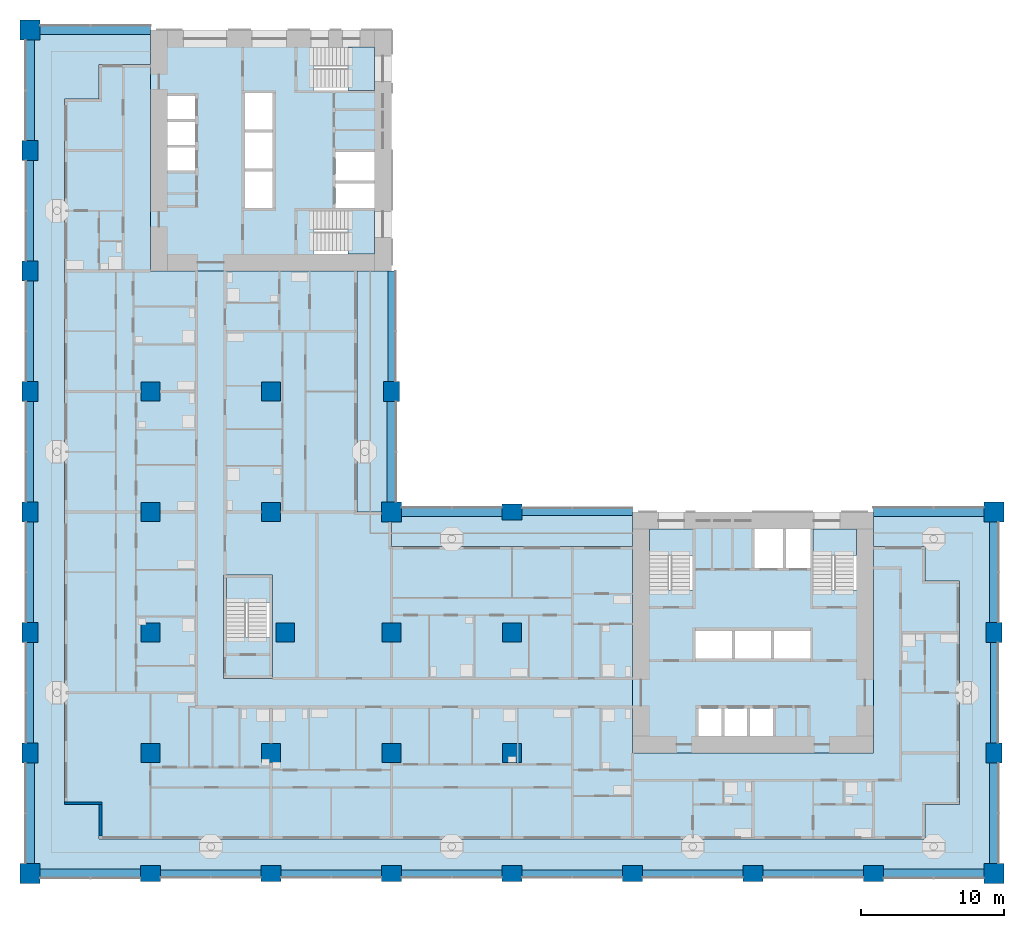
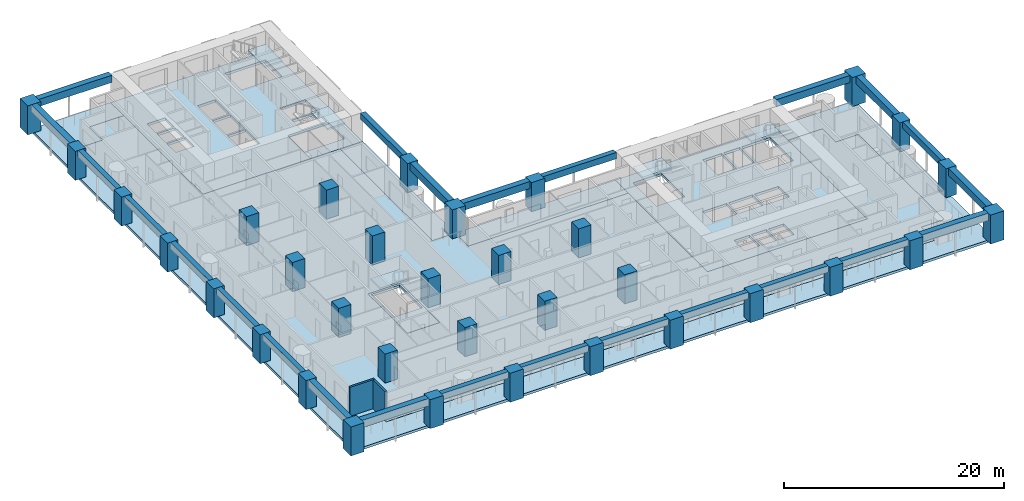
# One storey, part 1 of 22: 34 columns, 24 beams, 12 slabs, 2 walls, 5 elements without a shape of their own.
"""IFC4 building model written with IfcOpenShell, lengths in metres."""

from ifc_helpers import new_model, si_unit, direction, frame, frame_2d, origin, origin_2d, place, context, subcontext, project, spatial, polyline, rectangle, outline, extrude, material, layer, layer_set, material_profile, profile_set, type_object, element, aggregate, save


model = new_model("IFC4")

# Units and contexts
model_context = context("Model", 3, precision=1e-05, world=origin(), true_north=direction((0.0, 1.0)))
body_context = subcontext(model_context, "Body", "Model", "MODEL_VIEW")
ifc_project = project(units=[si_unit("LENGTHUNIT", "METRE"), si_unit("AREAUNIT", "SQUARE_METRE"), si_unit("VOLUMEUNIT", "CUBIC_METRE"), si_unit("PLANEANGLEUNIT", "RADIAN"), si_unit("MASSUNIT", "GRAM", prefix="KILO")], contexts=[model_context])

# Site, building, storey
site_placement = place(None, origin())
site = spatial("IfcSite", under=ifc_project, at=site_placement, CompositionType="ELEMENT")
building_placement = place(site_placement, origin())
building = spatial("IfcBuilding", under=site, at=building_placement, Name="Vermilion Gate Residences", CompositionType="ELEMENT")
storey_placement = place(building_placement, frame((0.0, 0.0, 56.699951171875)))
storey = spatial("IfcBuildingStorey", under=building, at=storey_placement, Name="L13", CompositionType="ELEMENT", Elevation=56.699951171875)

# Columns
ifc_material_1 = material(Name="Concrete C80", Category="concrete")
ifc_material_profile_1 = material_profile(ifc_material_1, rectangle(XDim=1.300048828125, YDim=1.300048828125, at=origin_2d()), Name="RC-1300x1300")
ifc_profile_set_1 = profile_set([ifc_material_profile_1], Name="Concrete C80")
column_type_1 = type_object("IfcColumnType", Name="RC COLUMN 1300 X 1300 C80", PredefinedType="COLUMN", material=ifc_profile_set_1)
for number, where, z_axis, x_axis, name in (
    (1, (8.39990234375, 8.39990234375, 0.0), (0.0, 0.0, 1.0), (1.0, 0.0, 0.0), "Column 2-B L13"),
    (2, (8.39990234375, 16.800048828125, 0.0), (0.0, 0.0, 1.0), (1.0, 0.0, 0.0), "Column 2-C L13"),
    (3, (8.39990234375, 25.199951171875, 0.0), (0.0, 0.0, 1.0), (1.0, 0.0, 0.0), "Column 2-D L13"),
    (4, (8.39990234375, 33.60009765625, 0.0), (0.0, 0.0, 1.0), (1.0, 0.0, 0.0), "Column 2-E L13"),
    (5, (16.800048828125, 8.39990234375, 0.0), (0.0, 0.0, 1.0), (1.0, 0.0, 0.0), "Column 3-B L13"),
    (6, (17.800048828125, 16.800048828125, 0.0), (0.0, 0.0, 1.0), (1.0, 0.0, 0.0), "Column 3-C L13"),
    (7, (16.800048828125, 25.199951171875, 0.0), (0.0, 0.0, 1.0), (1.0, 0.0, 0.0), "Column 3-D L13"),
    (8, (16.800048828125, 33.60009765625, 0.0), (0.0, 0.0, 1.0), (1.0, 0.0, 0.0), "Column 3-E L13"),
    (9, (25.199951171875, 8.39990234375, 0.0), (0.0, 0.0, 1.0), (1.0, 0.0, 0.0), "Column 4-B L13"),
    (10, (25.199951171875, 16.800048828125, 0.0), (0.0, 0.0, 1.0), (1.0, 0.0, 0.0), "Column 4-C L13"),
    (11, (33.60009765625, 8.39990234375, 0.0), (0.0, 0.0, 1.0), (1.0, 0.0, 0.0), "Column 5-B L13"),
    (12, (33.60009765625, 16.800048828125, 0.0), (0.0, 0.0, 1.0), (1.0, 0.0, 0.0), "Column 5-C L13"),
):
    element("IfcColumn", number, at=place(storey_placement, frame(where, z_axis=z_axis, x_axis=x_axis)), inside=storey, type_object=column_type_1, Name=name, PredefinedType="COLUMN", context=body_context, shape_type="SweptSolid", body=[
        extrude(rectangle(XDim=1.300048828125, YDim=1.300048828125, at=origin_2d()), origin(), (0.0, 0.0, 1.0), 3.219970703125),
    ])
ifc_material_2 = material(Name="Concrete C80", Category="concrete")
ifc_material_profile_2 = material_profile(ifc_material_2, rectangle(XDim=1.39990234375, YDim=1.10009765625, at=origin_2d()), Name="RC-1400x1100")
ifc_profile_set_2 = profile_set([ifc_material_profile_2], Name="Concrete C80")
column_type_2 = type_object("IfcColumnType", Name="RC COLUMN 1400 X 1100 C80", PredefinedType="COLUMN", material=ifc_profile_set_2)
for number, where, z_axis, x_axis, name in (
    (13, (0.0, 8.39990234375, 0.0), (0.0, 0.0, 1.0), (0.0, 1.0, 0.0), "Column 1-B L13"),
    (14, (0.0, 16.800048828125, 0.0), (0.0, 0.0, 1.0), (0.0, 1.0, 0.0), "Column 1-C L13"),
    (15, (0.0, 25.199951171875, 0.0), (0.0, 0.0, 1.0), (0.0, 1.0, 0.0), "Column 1-D L13"),
    (16, (0.0, 33.60009765625, 0.0), (0.0, 0.0, 1.0), (0.0, 1.0, 0.0), "Column 1-E L13"),
    (17, (0.0, 42.0, 0.0), (0.0, 0.0, 1.0), (0.0, 1.0, 0.0), "Column 1-F L13"),
    (18, (0.0, 50.39990234375, 0.0), (0.0, 0.0, 1.0), (0.0, 1.0, 0.0), "Column 1-G L13"),
    (19, (8.39990234375, 0.0, 0.0), (0.0, 0.0, 1.0), (1.0, 0.0, 0.0), "Column 2-A L13"),
    (20, (16.800048828125, 0.0, 0.0), (0.0, 0.0, 1.0), (1.0, 0.0, 0.0), "Column 3-A L13"),
    (21, (25.199951171875, 0.0, 0.0), (0.0, 0.0, 1.0), (1.0, 0.0, 0.0), "Column 4-A L13"),
    (22, (25.199951171875, 33.60009765625, 0.0), (0.0, 0.0, 1.0), (0.0, 1.0, 0.0), "Column 4-E L13"),
    (23, (33.60009765625, 0.0, 0.0), (0.0, 0.0, 1.0), (1.0, 0.0, 0.0), "Column 5-A L13"),
    (24, (33.60009765625, 25.199951171875, 0.0), (0.0, 0.0, 1.0), (1.0, 0.0, 0.0), "Column 5-D L13"),
    (25, (42.0, 0.0, 0.0), (0.0, 0.0, 1.0), (1.0, 0.0, 0.0), "Column 6-A L13"),
    (26, (50.39990234375, 0.0, 0.0), (0.0, 0.0, 1.0), (1.0, 0.0, 0.0), "Column 7-A L13"),
    (27, (58.800048828125, 0.0, 0.0), (0.0, 0.0, 1.0), (1.0, 0.0, 0.0), "Column 8-A L13"),
    (28, (67.199951171875, 8.39990234375, 0.0), (0.0, 0.0, 1.0), (0.0, 1.0, 0.0), "Column 9-B L13"),
    (29, (67.199951171875, 16.800048828125, 0.0), (0.0, 0.0, 1.0), (0.0, 1.0, 0.0), "Column 9-C L13"),
):
    element("IfcColumn", number, at=place(storey_placement, frame(where, z_axis=z_axis, x_axis=x_axis)), inside=storey, type_object=column_type_2, Name=name, PredefinedType="COLUMN", context=body_context, shape_type="SweptSolid", body=[
        extrude(rectangle(XDim=1.39990234375, YDim=1.10009765625, at=origin_2d()), origin(), (0.0, 0.0, 1.0), 3.219970703125),
    ])
ifc_material_3 = material(Name="Concrete C80", Category="concrete")
ifc_material_profile_3 = material_profile(ifc_material_3, rectangle(XDim=1.39990234375, YDim=1.39990234375, at=origin_2d()), Name="RC-1400x1400")
ifc_profile_set_3 = profile_set([ifc_material_profile_3], Name="Concrete C80")
column_type_3 = type_object("IfcColumnType", Name="RC COLUMN 1400 X 1400 C80", PredefinedType="COLUMN", material=ifc_profile_set_3)
for number, where, z_axis, x_axis, name in (
    (30, (0.0, 0.0, 0.0), (0.0, 0.0, 1.0), (1.0, 0.0, 0.0), "Column 1-A L13"),
    (31, (0.0, 58.800048828125, 0.0), (0.0, 0.0, 1.0), (1.0, 0.0, 0.0), "Column 1-H L13"),
    (32, (25.199951171875, 25.199951171875, 0.0), (0.0, 0.0, 1.0), (1.0, 0.0, 0.0), "Column 4-D L13"),
    (33, (67.199951171875, 0.0, 0.0), (0.0, 0.0, 1.0), (1.0, 0.0, 0.0), "Column 9-A L13"),
    (34, (67.199951171875, 25.199951171875, 0.0), (0.0, 0.0, 1.0), (1.0, 0.0, 0.0), "Column 9-D L13"),
):
    element("IfcColumn", number, at=place(storey_placement, frame(where, z_axis=z_axis, x_axis=x_axis)), inside=storey, type_object=column_type_3, Name=name, PredefinedType="COLUMN", context=body_context, shape_type="SweptSolid", body=[
        extrude(rectangle(XDim=1.39990234375, YDim=1.39990234375, at=origin_2d()), origin(), (0.0, 0.0, 1.0), 3.219970703125),
    ])

# Beams
ifc_material_4 = material(Name="Concrete C60 red-oxide pigmented", Category="concrete")
ifc_material_profile_4 = material_profile(ifc_material_4, rectangle(XDim=0.60009765625, YDim=0.800048828125, at=origin_2d()), Name="RC-600x800")
ifc_profile_set_4 = profile_set([ifc_material_profile_4], Name="Concrete C60 red-oxide pigmented")
beam_type_1 = type_object("IfcBeamType", Name="RC CORNER EDGE BEAM 600 X 800 C60", PredefinedType="BEAM", material=ifc_profile_set_4)
for number, where, z_axis, x_axis, name in (
    (35, (0.699951171875, 0.0, 2.820068359375), (1.0, 0.0, 0.0), (0.0, 1.0, 0.0), "Corner edge beam L13 1"),
    (36, (0.0, 0.699951171875, 2.820068359375), (0.0, 1.0, 0.0), (-1.0, 0.0, 0.0), "Corner edge beam L13 2"),
):
    element("IfcBeam", number, at=place(storey_placement, frame(where, z_axis=z_axis, x_axis=x_axis)), inside=storey, type_object=beam_type_1, Name=name, PredefinedType="BEAM", context=body_context, shape_type="SweptSolid", body=[
        extrude(rectangle(XDim=0.60009765625, YDim=0.800048828125, at=origin_2d()), origin(), (0.0, 0.0, 1.0), 7.0),
    ])
beam_1_placement = place(storey_placement, frame((0.699951171875, 58.800048828125, 2.820068359375), z_axis=(1.0, 0.0, 0.0), x_axis=(0.0, 1.0, 0.0)))
element("IfcBeam", 37, at=beam_1_placement, inside=storey, type_object=beam_type_1, Name="Corner edge beam L13 8", PredefinedType="BEAM", context=body_context, shape_type="SweptSolid", body=[
    extrude(rectangle(XDim=0.60009765625, YDim=0.800048828125, at=origin_2d()), origin(), (0.0, 0.0, 1.0), 7.699951171875),
])
for number, where, z_axis, x_axis, name in (
    (38, (0.0, 51.10009765625, 2.820068359375), (0.0, 1.0, 0.0), (-1.0, 0.0, 0.0), "Corner edge beam L13 9"),
    (39, (25.199951171875, 25.89990234375, 2.820068359375), (0.0, 1.0, 0.0), (-1.0, 0.0, 0.0), "Corner edge beam L13 12"),
    (40, (25.89990234375, 25.199951171875, 2.820068359375), (1.0, 0.0, 0.0), (0.0, 1.0, 0.0), "Corner edge beam L13 15"),
    (41, (59.5, 0.0, 2.820068359375), (1.0, 0.0, 0.0), (0.0, 1.0, 0.0), "Corner edge beam L13 20"),
    (42, (67.199951171875, 0.699951171875, 2.820068359375), (0.0, 1.0, 0.0), (-1.0, 0.0, 0.0), "Corner edge beam L13 21"),
    (43, (67.199951171875, 17.5, 2.820068359375), (0.0, 1.0, 0.0), (-1.0, 0.0, 0.0), "Corner edge beam L13 23"),
):
    element("IfcBeam", number, at=place(storey_placement, frame(where, z_axis=z_axis, x_axis=x_axis)), inside=storey, type_object=beam_type_1, Name=name, PredefinedType="BEAM", context=body_context, shape_type="SweptSolid", body=[
        extrude(rectangle(XDim=0.60009765625, YDim=0.800048828125, at=origin_2d()), origin(), (0.0, 0.0, 1.0), 7.0),
    ])
beam_2_placement = place(storey_placement, frame((58.800048828125, 25.199951171875, 2.820068359375), z_axis=(1.0, 0.0, 0.0), x_axis=(0.0, 1.0, 0.0)))
element("IfcBeam", 44, at=beam_2_placement, inside=storey, type_object=beam_type_1, Name="Corner edge beam L13 24", PredefinedType="BEAM", context=body_context, shape_type="SweptSolid", body=[
    extrude(rectangle(XDim=0.60009765625, YDim=0.800048828125, at=origin_2d()), origin(), (0.0, 0.0, 1.0), 7.699951171875),
])
ifc_material_5 = material(Name="Concrete C60 red-oxide pigmented", Category="concrete")
ifc_material_profile_5 = material_profile(ifc_material_5, rectangle(XDim=0.5, YDim=0.699951171875, at=origin_2d()), Name="RC-500x700")
ifc_profile_set_5 = profile_set([ifc_material_profile_5], Name="Concrete C60 red-oxide pigmented")
beam_type_2 = type_object("IfcBeamType", Name="RC EDGE BEAM 500 X 700 C60", PredefinedType="BEAM", material=ifc_profile_set_5)
for number, where, z_axis, x_axis, name in (
    (45, (0.0, 9.10009765625, 2.8701171875), (0.0, 1.0, 0.0), (-1.0, 0.0, 0.0), "Edge beam L13 3"),
    (46, (0.0, 17.5, 2.8701171875), (0.0, 1.0, 0.0), (-1.0, 0.0, 0.0), "Edge beam L13 4"),
    (47, (0.0, 25.89990234375, 2.8701171875), (0.0, 1.0, 0.0), (-1.0, 0.0, 0.0), "Edge beam L13 5"),
    (48, (0.0, 34.300048828125, 2.8701171875), (0.0, 1.0, 0.0), (-1.0, 0.0, 0.0), "Edge beam L13 6"),
    (49, (0.0, 42.699951171875, 2.8701171875), (0.0, 1.0, 0.0), (-1.0, 0.0, 0.0), "Edge beam L13 7"),
    (50, (9.10009765625, 0.0, 2.8701171875), (1.0, 0.0, 0.0), (0.0, 1.0, 0.0), "Edge beam L13 10"),
    (51, (17.5, 0.0, 2.8701171875), (1.0, 0.0, 0.0), (0.0, 1.0, 0.0), "Edge beam L13 11"),
):
    element("IfcBeam", number, at=place(storey_placement, frame(where, z_axis=z_axis, x_axis=x_axis)), inside=storey, type_object=beam_type_2, Name=name, PredefinedType="BEAM", context=body_context, shape_type="SweptSolid", body=[
        extrude(rectangle(XDim=0.5, YDim=0.699951171875, at=origin_2d()), origin(), (0.0, 0.0, 1.0), 7.0),
    ])
beam_3_placement = place(storey_placement, frame((25.199951171875, 34.300048828125, 2.8701171875), z_axis=(0.0, 1.0, 0.0), x_axis=(-1.0, 0.0, 0.0)))
element("IfcBeam", 52, at=beam_3_placement, inside=storey, type_object=beam_type_2, Name="Edge beam L13 13", PredefinedType="BEAM", context=body_context, shape_type="SweptSolid", body=[
    extrude(rectangle(XDim=0.5, YDim=0.699951171875, at=origin_2d()), origin(), (0.0, 0.0, 1.0), 7.699951171875),
])
for number, where, z_axis, x_axis, name in (
    (53, (25.89990234375, 0.0, 2.8701171875), (1.0, 0.0, 0.0), (0.0, 1.0, 0.0), "Edge beam L13 14"),
    (54, (34.300048828125, 0.0, 2.8701171875), (1.0, 0.0, 0.0), (0.0, 1.0, 0.0), "Edge beam L13 16"),
):
    element("IfcBeam", number, at=place(storey_placement, frame(where, z_axis=z_axis, x_axis=x_axis)), inside=storey, type_object=beam_type_2, Name=name, PredefinedType="BEAM", context=body_context, shape_type="SweptSolid", body=[
        extrude(rectangle(XDim=0.5, YDim=0.699951171875, at=origin_2d()), origin(), (0.0, 0.0, 1.0), 7.0),
    ])
beam_4_placement = place(storey_placement, frame((34.300048828125, 25.199951171875, 2.8701171875), z_axis=(1.0, 0.0, 0.0), x_axis=(0.0, 1.0, 0.0)))
element("IfcBeam", 55, at=beam_4_placement, inside=storey, type_object=beam_type_2, Name="Edge beam L13 17", PredefinedType="BEAM", context=body_context, shape_type="SweptSolid", body=[
    extrude(rectangle(XDim=0.5, YDim=0.699951171875, at=origin_2d()), origin(), (0.0, 0.0, 1.0), 7.699951171875),
])
for number, where, z_axis, x_axis, name in (
    (56, (42.699951171875, 0.0, 2.8701171875), (1.0, 0.0, 0.0), (0.0, 1.0, 0.0), "Edge beam L13 18"),
    (57, (51.10009765625, 0.0, 2.8701171875), (1.0, 0.0, 0.0), (0.0, 1.0, 0.0), "Edge beam L13 19"),
    (58, (67.199951171875, 9.10009765625, 2.8701171875), (0.0, 1.0, 0.0), (-1.0, 0.0, 0.0), "Edge beam L13 22"),
):
    element("IfcBeam", number, at=place(storey_placement, frame(where, z_axis=z_axis, x_axis=x_axis)), inside=storey, type_object=beam_type_2, Name=name, PredefinedType="BEAM", context=body_context, shape_type="SweptSolid", body=[
        extrude(rectangle(XDim=0.5, YDim=0.699951171875, at=origin_2d()), origin(), (0.0, 0.0, 1.0), 7.0),
    ])

# Slabs
ifc_material_6 = material(Name="Concrete C50", Category="concrete")
ifc_layer_1 = layer(ifc_material_6, 0.280029296875)
ifc_layer_set_1 = layer_set([ifc_layer_1], Name="RC CORE FLOOR SLAB 280 C50")
slab_type_1 = type_object("IfcSlabType", Name="RC CORE FLOOR SLAB 280 C50", PredefinedType="FLOOR", material=ifc_layer_set_1)
slab_1_placement = place(storey_placement, frame((0.0, 0.0, -0.280029296875)))
element("IfcSlab", 59, at=slab_1_placement, inside=storey, type_object=slab_type_1, Name="Core floor slab A13", PredefinedType="FLOOR", context=body_context, shape_type="SweptSolid", body=[
    extrude(outline(polyline([(42.0, 8.39990234375), (58.800048828125, 8.39990234375), (58.800048828125, 25.199951171875), (42.0, 25.199951171875), (42.0, 8.39990234375)]), holes=[polyline([(46.60009765625, 11.5), (48.199951171875, 11.5), (48.199951171875, 9.60009765625), (46.60009765625, 9.60009765625), (46.60009765625, 11.5)]), polyline([(48.39990234375, 11.5), (50.0, 11.5), (50.0, 9.60009765625), (48.39990234375, 9.60009765625), (48.39990234375, 11.5)]), polyline([(50.199951171875, 11.5), (51.800048828125, 11.5), (51.800048828125, 9.60009765625), (50.199951171875, 9.60009765625), (50.199951171875, 11.5)]), polyline([(48.933349609375, 16.89990234375), (48.933349609375, 15.0), (46.39990234375, 15.0), (46.39990234375, 16.89990234375), (48.933349609375, 16.89990234375)]), polyline([(51.666748046875, 16.89990234375), (51.666748046875, 15.0), (49.13330078125, 15.0), (49.13330078125, 16.89990234375), (51.666748046875, 16.89990234375)]), polyline([(51.86669921875, 16.89990234375), (54.39990234375, 16.89990234375), (54.39990234375, 15.0), (51.86669921875, 15.0), (51.86669921875, 16.89990234375)]), polyline([(43.199951171875, 24.0), (46.199951171875, 24.0), (46.199951171875, 19.75), (43.199951171875, 19.75), (43.199951171875, 24.0)]), polyline([(54.60009765625, 24.0), (57.60009765625, 24.0), (57.60009765625, 19.75), (54.60009765625, 19.75), (54.60009765625, 24.0)]), polyline([(52.5, 24.0), (52.5, 21.300048828125), (50.5, 21.300048828125), (50.5, 24.0), (52.5, 24.0)]), polyline([(54.39990234375, 24.0), (54.39990234375, 21.300048828125), (52.699951171875, 21.300048828125), (52.699951171875, 24.0), (54.39990234375, 24.0)])]), origin(), (0.0, 0.0, 1.0), 0.280029296875),
])
slab_2_placement = place(storey_placement, frame((0.0, 0.0, -0.280029296875)))
element("IfcSlab", 60, at=slab_2_placement, inside=storey, type_object=slab_type_1, Name="Core floor slab B13", PredefinedType="FLOOR", context=body_context, shape_type="SweptSolid", body=[
    extrude(outline(polyline([(8.39990234375, 42.0), (25.199951171875, 42.0), (25.199951171875, 58.800048828125), (8.39990234375, 58.800048828125), (8.39990234375, 42.0)]), holes=[polyline([(19.75, 46.199951171875), (24.0, 46.199951171875), (24.0, 43.199951171875), (19.75, 43.199951171875), (19.75, 46.199951171875)]), polyline([(21.300048828125, 48.10009765625), (24.0, 48.10009765625), (24.0, 46.39990234375), (21.300048828125, 46.39990234375), (21.300048828125, 48.10009765625)]), polyline([(15.0, 48.933349609375), (16.89990234375, 48.933349609375), (16.89990234375, 46.39990234375), (15.0, 46.39990234375), (15.0, 48.933349609375)]), polyline([(24.0, 50.300048828125), (24.0, 48.300048828125), (21.300048828125, 48.300048828125), (21.300048828125, 50.300048828125), (24.0, 50.300048828125)]), polyline([(11.5, 50.60009765625), (11.5, 49.0), (9.60009765625, 49.0), (9.60009765625, 50.60009765625), (11.5, 50.60009765625)]), polyline([(15.0, 51.666748046875), (16.89990234375, 51.666748046875), (16.89990234375, 49.13330078125), (15.0, 49.13330078125), (15.0, 51.666748046875)]), polyline([(9.60009765625, 52.39990234375), (11.5, 52.39990234375), (11.5, 50.800048828125), (9.60009765625, 50.800048828125), (9.60009765625, 52.39990234375)]), polyline([(15.0, 54.39990234375), (16.89990234375, 54.39990234375), (16.89990234375, 51.86669921875), (15.0, 51.86669921875), (15.0, 54.39990234375)]), polyline([(11.5, 54.199951171875), (11.5, 52.60009765625), (9.60009765625, 52.60009765625), (9.60009765625, 54.199951171875), (11.5, 54.199951171875)]), polyline([(24.0, 57.60009765625), (24.0, 54.60009765625), (19.75, 54.60009765625), (19.75, 57.60009765625), (24.0, 57.60009765625)])]), origin(), (0.0, 0.0, 1.0), 0.280029296875),
])
slab_3_placement = place(storey_placement, frame((0.0, 0.0, -0.280029296875)))
element("IfcSlab", 61, at=slab_3_placement, inside=storey, type_object=slab_type_1, Name="Apex stair floor slab 13", PredefinedType="FLOOR", context=body_context, shape_type="SweptSolid", body=[
    extrude(outline(polyline([(13.5, 13.60009765625), (16.89990234375, 13.60009765625), (16.89990234375, 20.800048828125), (13.5, 20.800048828125), (13.5, 13.60009765625)]), holes=[polyline([(16.699951171875, 20.60009765625), (16.699951171875, 16.449951171875), (13.699951171875, 16.449951171875), (13.699951171875, 20.60009765625), (16.699951171875, 20.60009765625)])]), origin(), (0.0, 0.0, 1.0), 0.280029296875),
])
ifc_material_7 = material(Name="Concrete C50", Category="concrete")
ifc_layer_2 = layer(ifc_material_7, 0.280029296875)
ifc_layer_set_2 = layer_set([ifc_layer_2], Name="RC FLAT PLATE 280 C50")
slab_type_2 = type_object("IfcSlabType", Name="RC FLAT PLATE 280 C50", PredefinedType="FLOOR", material=ifc_layer_set_2)
slab_4_placement = place(storey_placement, frame((0.0, 0.0, -0.280029296875)))
element("IfcSlab", 62, at=slab_4_placement, inside=storey, type_object=slab_type_2, Name="Floor slab L13", PredefinedType="FLOOR", context=body_context, shape_type="SweptSolid", body=[
    extrude(outline(polyline([(22.800048828125, 25.199951171875), (22.800048828125, 42.0), (8.39990234375, 42.0), (8.39990234375, 56.39990234375), (4.800048828125, 56.39990234375), (4.800048828125, 54.0), (2.39990234375, 54.0), (2.39990234375, 4.800048828125), (4.800048828125, 4.800048828125), (4.800048828125, 2.39990234375), (62.39990234375, 2.39990234375), (62.39990234375, 4.800048828125), (64.800048828125, 4.800048828125), (64.800048828125, 20.39990234375), (62.39990234375, 20.39990234375), (62.39990234375, 22.800048828125), (58.800048828125, 22.800048828125), (58.800048828125, 8.39990234375), (42.0, 8.39990234375), (42.0, 22.800048828125), (25.199951171875, 22.800048828125), (25.199951171875, 25.199951171875), (22.800048828125, 25.199951171875)]), holes=[polyline([(13.5, 13.60009765625), (13.5, 20.800048828125), (16.89990234375, 20.800048828125), (16.89990234375, 13.60009765625), (13.5, 13.60009765625)])]), origin(), (0.0, 0.0, 1.0), 0.280029296875),
])
ifc_material_8 = material(Name="Concrete C50 red-oxide pigmented", Category="concrete")
ifc_layer_3 = layer(ifc_material_8, 0.280029296875)
ifc_layer_set_3 = layer_set([ifc_layer_3], Name="RC LOGGIA SLAB 280 C50")
slab_type_3 = type_object("IfcSlabType", Name="RC LOGGIA SLAB 280 C50", PredefinedType="FLOOR", material=ifc_layer_set_3)
slab_5_placement = place(storey_placement, frame((0.0, 0.0, -0.280029296875)))
element("IfcSlab", 63, at=slab_5_placement, inside=storey, type_object=slab_type_3, Name="Loggia slab L13", PredefinedType="FLOOR", context=body_context, shape_type="SweptSolid", body=[
    extrude(outline(polyline([(0.0, 58.800048828125), (0.0, 0.0), (67.199951171875, 0.0), (67.199951171875, 25.199951171875), (58.800048828125, 25.199951171875), (58.800048828125, 22.800048828125), (62.39990234375, 22.800048828125), (62.39990234375, 20.39990234375), (64.800048828125, 20.39990234375), (64.800048828125, 4.800048828125), (62.39990234375, 4.800048828125), (62.39990234375, 2.39990234375), (4.800048828125, 2.39990234375), (4.800048828125, 4.800048828125), (2.39990234375, 4.800048828125), (2.39990234375, 54.0), (4.800048828125, 54.0), (4.800048828125, 56.39990234375), (8.39990234375, 56.39990234375), (8.39990234375, 58.800048828125), (0.0, 58.800048828125)])), origin(), (0.0, 0.0, 1.0), 0.280029296875),
])
slab_6_placement = place(storey_placement, frame((0.0, 0.0, -0.280029296875)))
element("IfcSlab", 64, at=slab_6_placement, inside=storey, type_object=slab_type_3, Name="Loggia slab L13", PredefinedType="FLOOR", context=body_context, shape_type="SweptSolid", body=[
    extrude(outline(polyline([(25.199951171875, 22.800048828125), (42.0, 22.800048828125), (42.0, 25.199951171875), (25.199951171875, 25.199951171875), (25.199951171875, 22.800048828125)])), origin(), (0.0, 0.0, 1.0), 0.280029296875),
])
slab_7_placement = place(storey_placement, frame((0.0, 0.0, -0.280029296875)))
element("IfcSlab", 65, at=slab_7_placement, inside=storey, type_object=slab_type_3, Name="Loggia slab L13", PredefinedType="FLOOR", context=body_context, shape_type="SweptSolid", body=[
    extrude(outline(polyline([(22.800048828125, 42.0), (22.800048828125, 25.199951171875), (25.199951171875, 25.199951171875), (25.199951171875, 42.0), (22.800048828125, 42.0)])), origin(), (0.0, 0.0, 1.0), 0.280029296875),
])

# Stair, slab
ifc_material_9 = material(Name="Concrete C50", Category="concrete")
stair_type = type_object("IfcStairType", Name="SPECIAL ESCAPE STAIR 1300", PredefinedType="HALF_TURN_STAIR", material=ifc_material_9)
stair_1_placement = place(storey_placement, origin())
stair_1 = element("IfcStair", 66, at=stair_1_placement, inside=storey, type_object=stair_type, Name="Special escape stair STA1-13", PredefinedType="HALF_TURN_STAIR")
ifc_material_10 = material(Name="Concrete C50", Category="concrete")
ifc_layer_4 = layer(ifc_material_10, 0.199951171875)
ifc_layer_set_4 = layer_set([ifc_layer_4], Name="STAIR LANDING 200 C50")
slab_type_4 = type_object("IfcSlabType", Name="STAIR LANDING 200 C50", PredefinedType="LANDING", material=ifc_layer_set_4)
slab_8_placement = place(storey_placement, frame((0.0, 0.0, 1.550048828125)))
slab_8 = element("IfcSlab", 67, at=slab_8_placement, type_object=slab_type_4, Name="STA1-13 landing 1", PredefinedType="LANDING", context=body_context, shape_type="SweptSolid", body=[
    extrude(outline(polyline([(46.219970703125, 22.179931640625), (46.219970703125, 24.02001953125), (43.179931640625, 24.02001953125), (43.179931640625, 22.179931640625), (46.219970703125, 22.179931640625)])), origin(), (0.0, 0.0, 1.0), 0.199951171875),
])
aggregate(stair_1, [slab_8])

stair_2_placement = place(storey_placement, origin())
stair_2 = element("IfcStair", 68, at=stair_2_placement, inside=storey, type_object=stair_type, Name="Special escape stair STA2-13", PredefinedType="HALF_TURN_STAIR")
slab_9_placement = place(storey_placement, frame((0.0, 0.0, 1.550048828125)))
slab_9 = element("IfcSlab", 69, at=slab_9_placement, type_object=slab_type_4, Name="STA2-13 landing 1", PredefinedType="LANDING", context=body_context, shape_type="SweptSolid", body=[
    extrude(outline(polyline([(57.6201171875, 22.179931640625), (57.6201171875, 24.02001953125), (54.580078125, 24.02001953125), (54.580078125, 22.179931640625), (57.6201171875, 22.179931640625)])), origin(), (0.0, 0.0, 1.0), 0.199951171875),
])
aggregate(stair_2, [slab_9])

stair_3_placement = place(storey_placement, origin())
stair_3 = element("IfcStair", 70, at=stair_3_placement, inside=storey, type_object=stair_type, Name="Special escape stair STB1-13", PredefinedType="HALF_TURN_STAIR")
slab_10_placement = place(storey_placement, frame((0.0, 0.0, 1.550048828125)))
slab_10 = element("IfcSlab", 71, at=slab_10_placement, type_object=slab_type_4, Name="STB1-13 landing 1", PredefinedType="LANDING", context=body_context, shape_type="SweptSolid", body=[
    extrude(outline(polyline([(24.02001953125, 54.580078125), (24.02001953125, 57.6201171875), (22.179931640625, 57.6201171875), (22.179931640625, 54.580078125), (24.02001953125, 54.580078125)])), origin(), (0.0, 0.0, 1.0), 0.199951171875),
])
aggregate(stair_3, [slab_10])

stair_4_placement = place(storey_placement, origin())
stair_4 = element("IfcStair", 72, at=stair_4_placement, inside=storey, type_object=stair_type, Name="Special escape stair STB2-13", PredefinedType="HALF_TURN_STAIR")
slab_11_placement = place(storey_placement, frame((0.0, 0.0, 1.550048828125)))
slab_11 = element("IfcSlab", 73, at=slab_11_placement, type_object=slab_type_4, Name="STB2-13 landing 1", PredefinedType="LANDING", context=body_context, shape_type="SweptSolid", body=[
    extrude(outline(polyline([(24.02001953125, 43.179931640625), (24.02001953125, 46.219970703125), (22.179931640625, 46.219970703125), (22.179931640625, 43.179931640625), (24.02001953125, 43.179931640625)])), origin(), (0.0, 0.0, 1.0), 0.199951171875),
])
aggregate(stair_4, [slab_11])

stair_5_placement = place(storey_placement, origin())
stair_5 = element("IfcStair", 74, at=stair_5_placement, inside=storey, type_object=stair_type, Name="Special escape stair STC1-13", PredefinedType="HALF_TURN_STAIR")
slab_12_placement = place(storey_placement, frame((0.0, 0.0, 1.550048828125)))
slab_12 = element("IfcSlab", 75, at=slab_12_placement, type_object=slab_type_4, Name="STC1-13 landing 1", PredefinedType="LANDING", context=body_context, shape_type="SweptSolid", body=[
    extrude(outline(polyline([(16.719970703125, 18.8798828125), (16.719970703125, 20.6201171875), (13.679931640625, 20.6201171875), (13.679931640625, 18.8798828125), (16.719970703125, 18.8798828125)])), origin(), (0.0, 0.0, 1.0), 0.199951171875),
])
aggregate(stair_5, [slab_12])

# Walls
ifc_material_11 = material(Name="Insulated steel stud wall with terracotta rainscreen", Category="masonry")
ifc_layer_5 = layer(ifc_material_11, 0.199951171875)
ifc_layer_set_5 = layer_set([ifc_layer_5], Name="EXTERNAL WALL 200 TERRACOTTA RAINSCREEN")
wall_type = type_object("IfcWallType", Name="EXTERNAL WALL 200 TERRACOTTA RAINSCREEN", PredefinedType="SOLIDWALL", material=ifc_layer_set_5)
wall_1_placement = place(storey_placement, frame((2.39990234375, 4.89990234375, 0.0), z_axis=(0.0, 0.0, 1.0), x_axis=(1.0, 0.0, 0.0)))
element("IfcWall", 76, at=wall_1_placement, inside=storey, type_object=wall_type, Name="External wall", PredefinedType="SOLIDWALL", context=body_context, shape_type="SweptSolid", body=[
    extrude(rectangle(XDim=2.60009765625, YDim=0.199951171875, at=frame_2d((1.300048828125, 0.0))), origin(), (0.0, 0.0, 1.0), 3.219970703125),
])
wall_2_placement = place(storey_placement, frame((4.89990234375, 4.800048828125, 0.0), z_axis=(0.0, 0.0, 1.0), x_axis=(0.0, -1.0, 0.0)))
element("IfcWall", 77, at=wall_2_placement, inside=storey, type_object=wall_type, Name="External wall", PredefinedType="SOLIDWALL", context=body_context, shape_type="SweptSolid", body=[
    extrude(rectangle(XDim=2.199951171875, YDim=0.199951171875, at=frame_2d((1.10009765625, 0.0))), origin(), (0.0, 0.0, 1.0), 3.219970703125),
])

save(model, "model.ifc")
